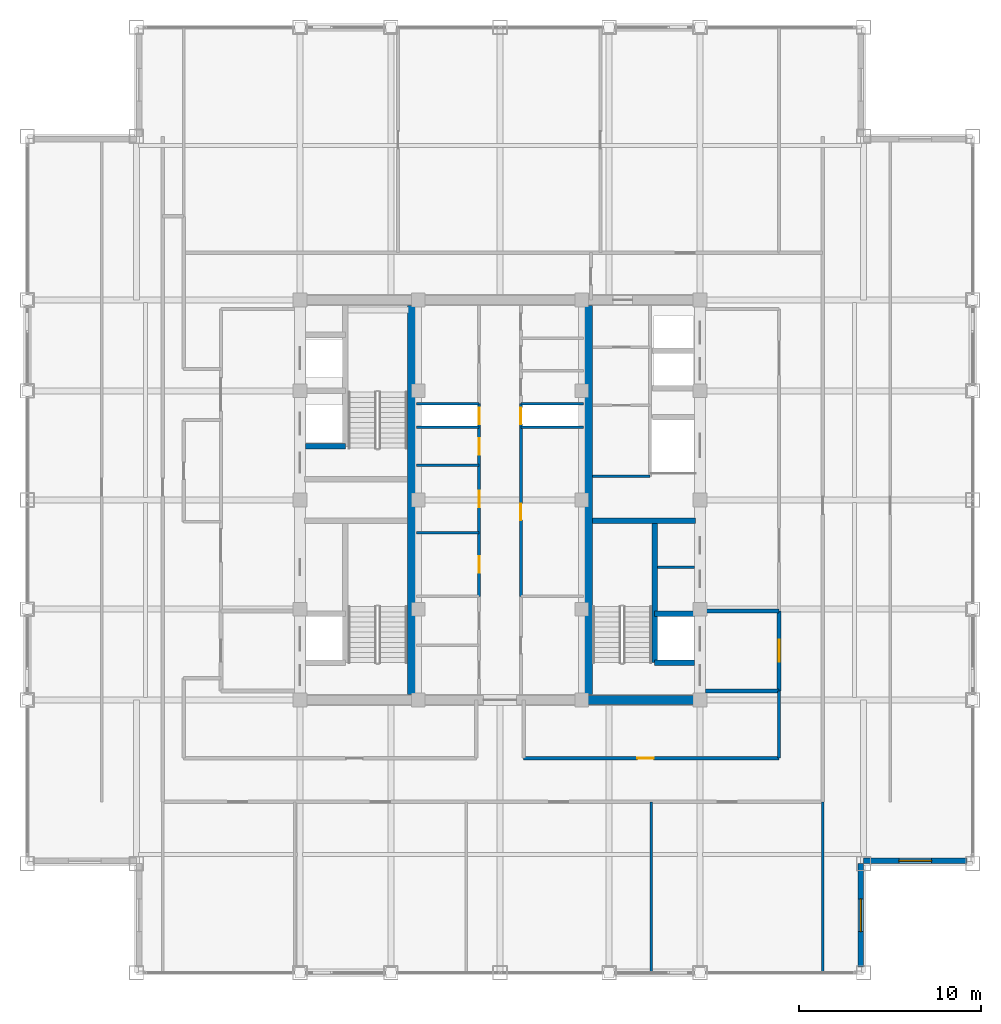
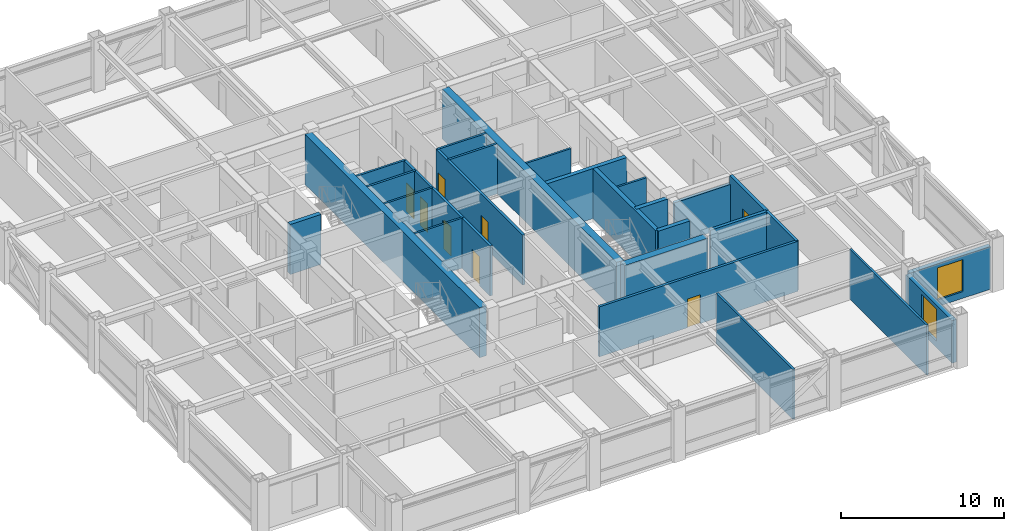
# One storey, part 25 of 28: 27 walls, 8 doors, 2 windows, 10 openings.
"""IFC4 building model written with IfcOpenShell, lengths in metres."""

from ifc_helpers import new_model, si_unit, direction, frame, frame_2d, origin, place, context, subcontext, project, spatial, rectangle, extrude, source, transform, mapped, material, layer, layer_set, type_object, element, fill, save


model = new_model("IFC4")

# Units and contexts
model_context = context("Model", 3, precision=1e-05, world=origin(), true_north=direction((0.0, 1.0)))
body_context = subcontext(model_context, "Body", "Model", "MODEL_VIEW")
ifc_project = project(units=[si_unit("LENGTHUNIT", "METRE"), si_unit("AREAUNIT", "SQUARE_METRE"), si_unit("VOLUMEUNIT", "CUBIC_METRE"), si_unit("PLANEANGLEUNIT", "RADIAN"), si_unit("MASSUNIT", "GRAM", prefix="KILO")], contexts=[model_context])

# Site, building, storey
site_placement = place(None, origin())
site = spatial("IfcSite", under=ifc_project, at=site_placement, CompositionType="ELEMENT")
building_placement = place(site_placement, origin())
building = spatial("IfcBuilding", under=site, at=building_placement, Name="Khorayat Bourse Tower", CompositionType="ELEMENT")
storey_placement = place(building_placement, frame((0.0, 0.0, 334.300048828125)))
storey = spatial("IfcBuildingStorey", under=building, at=storey_placement, Name="L79", CompositionType="ELEMENT", Elevation=334.300048828125)

# Walls
ifc_material_1 = material(Name="Concrete C52/65", Category="concrete")
ifc_layer_1 = layer(ifc_material_1, 0.5)
ifc_layer_set_1 = layer_set([ifc_layer_1], Name="Concrete C52/65")
wall_type_1 = type_object("IfcWallType", Name="WAL-CORE-500", PredefinedType="SHEAR", material=ifc_layer_set_1)
shared_shape_1 = source(origin(), body_context, "Body", "SweptSolid", [
    extrude(rectangle(XDim=21.39990234375, YDim=0.5, at=frame_2d((10.699951171875, 0.0))), origin(), (0.0, 0.0, 1.0), 3.739990234375),
])
for number, where, z_axis, x_axis, name in (
    (1, (-4.85009765625, -10.699951171875, 0.0), (0.0, 0.0, 1.0), (0.0, 1.0, 0.0), "L79 Core Shear Wall PIER-W"),
    (2, (4.85009765625, -10.699951171875, 0.0), (0.0, 0.0, 1.0), (0.0, 1.0, 0.0), "L79 Core Shear Wall PIER-E"),
):
    element("IfcWall", number, at=place(storey_placement, frame(where, z_axis=z_axis, x_axis=x_axis)), inside=storey, type_object=wall_type_1, Name=name, PredefinedType="SHEAR", context=body_context, shape_type="MappedRepresentation", body=[
        mapped(shared_shape_1, transform((0.0, 0.0, 0.0), scale=1.0)),
    ])
shared_shape_2 = source(origin(), body_context, "Body", "SweptSolid", [
    extrude(rectangle(XDim=5.89990234375, YDim=0.5, at=frame_2d((2.949951171875, 0.0))), origin(), (0.0, 0.0, 1.0), 3.739990234375),
])
wall_1_placement = place(storey_placement, frame((4.85009765625, -11.0, 0.0), z_axis=(0.0, 0.0, 1.0), x_axis=(1.0, 0.0, 0.0)))
element("IfcWall", 3, at=wall_1_placement, inside=storey, type_object=wall_type_1, Name="L79 Core Shear Wall PIER-ES", PredefinedType="SHEAR", context=body_context, shape_type="MappedRepresentation", body=[
    mapped(shared_shape_2, transform((0.0, 0.0, 0.0), scale=1.0)),
])
ifc_material_2 = material(Name="Concrete C50/60", Category="concrete")
ifc_layer_2 = layer(ifc_material_2, 0.300048828125)
ifc_layer_set_2 = layer_set([ifc_layer_2], Name="Concrete C50/60")
wall_type_2 = type_object("IfcWallType", Name="WAL-SHAFT-300", PredefinedType="SHEAR", material=ifc_layer_set_2)
shared_shape_3 = source(origin(), body_context, "Body", "SweptSolid", [
    extrude(rectangle(XDim=5.64990234375, YDim=0.300048828125, at=frame_2d((2.824951171875, 0.0))), origin(), (0.0, 0.0, 1.0), 3.739990234375),
])
wall_2_placement = place(storey_placement, frame((5.10009765625, -1.14990234375, 0.0), z_axis=(0.0, 0.0, 1.0), x_axis=(1.0, 0.0, 0.0)))
element("IfcWall", 4, at=wall_2_placement, inside=storey, type_object=wall_type_2, Name="L79 Core Shear Wall ST3-DIV", PredefinedType="SHEAR", context=body_context, shape_type="MappedRepresentation", body=[
    mapped(shared_shape_3, transform((0.0, 0.0, 0.0), scale=1.0)),
])

# Wall, opening, window
ifc_material_3 = material(Name="Precast concrete C45/55", Category="concrete")
ifc_layer_3 = layer(ifc_material_3, 0.320068359375)
ifc_layer_set_3 = layer_set([ifc_layer_3], Name="Precast concrete C45/55")
wall_type_3 = type_object("IfcWallType", Name="WAL-EXT-STONE-320", PredefinedType="STANDARD", material=ifc_layer_set_3)
shared_shape_4 = source(origin(), body_context, "Body", "SweptSolid", [
    extrude(rectangle(XDim=5.679931640625, YDim=0.320068359375, at=frame_2d((2.83984375, 0.0))), origin(), (0.0, 0.0, 1.0), 3.19091796875),
])
wall_3_placement = place(storey_placement, frame((19.840087890625, -25.679931640625, 0.0), z_axis=(0.0, 0.0, 1.0), x_axis=(0.0, 1.0, 0.0)))
wall_3 = element("IfcWall", 5, at=wall_3_placement, inside=storey, type_object=wall_type_3, Name="L79 Re-Entrant Notch Limestone Wall SE-V", PredefinedType="STANDARD", context=body_context, shape_type="MappedRepresentation", body=[
    mapped(shared_shape_4, transform((0.0, 0.0, 0.0), scale=1.0)),
])
shared_shape_5 = source(origin(), body_context, "Body", "SweptSolid", [
    extrude(rectangle(XDim=1.800048828125, YDim=2.39990234375, at=frame_2d((0.89990234375, 1.199951171875))), frame((0.0, 0.169921875, 0.0), z_axis=(0.0, -1.0, 0.0), x_axis=(1.0, 0.0, 0.0)), (0.0, 0.0, 1.0), 0.340087890625),
])
opening_1_placement = place(wall_3_placement, frame((1.93994140625, 0.0, 0.5)))
opening_1 = element("IfcOpeningElement", 6, at=opening_1_placement, cuts=wall_3, Name="Opening WN-04", PredefinedType="OPENING", context=body_context, shape_type="MappedRepresentation", body=[
    mapped(shared_shape_5, transform((0.0, 0.0, 0.0), scale=1.0)),
])
ifc_material_4 = material(Name="Low-E acoustic laminated double glazing", Category="glass")
window_type = type_object("IfcWindowType", Name="WIN-NOTCH-1800x2400", PartitioningType="SINGLE_PANEL", PredefinedType="WINDOW", material=ifc_material_4)
shared_shape_6 = source(origin(), body_context, "Body", "SweptSolid", [
    extrude(rectangle(XDim=1.800048828125, YDim=2.39990234375, at=frame_2d((0.89990234375, 1.199951171875))), frame((0.0, 0.030029296875, 0.0), z_axis=(0.0, -1.0, 0.0), x_axis=(1.0, 0.0, 0.0)), (0.0, 0.0, 1.0), 0.06005859375),
])
window_1_placement = place(opening_1_placement, origin())
window_1 = element("IfcWindow", 7, at=window_1_placement, inside=storey, type_object=window_type, Name="L79 Facade Window 1", OverallHeight=2.39990234375, OverallWidth=1.800048828125, PartitioningType="SINGLE_PANEL", PredefinedType="WINDOW", context=body_context, shape_type="MappedRepresentation", body=[
    mapped(shared_shape_6, transform((0.0, 0.0, 0.0), scale=1.0)),
])
fill(opening_1, window_1)

wall_4_placement = place(storey_placement, frame((20.0, -19.840087890625, 0.0), z_axis=(0.0, 0.0, 1.0), x_axis=(1.0, 0.0, 0.0)))
wall_4 = element("IfcWall", 8, at=wall_4_placement, inside=storey, type_object=wall_type_3, Name="L79 Re-Entrant Notch Limestone Wall SE-H", PredefinedType="STANDARD", context=body_context, shape_type="MappedRepresentation", body=[
    mapped(shared_shape_4, transform((0.0, 0.0, 0.0), scale=1.0)),
])
opening_2_placement = place(wall_4_placement, frame((1.93994140625, 0.0, 0.5)))
opening_2 = element("IfcOpeningElement", 9, at=opening_2_placement, cuts=wall_4, Name="Opening WN-04", PredefinedType="OPENING", context=body_context, shape_type="MappedRepresentation", body=[
    mapped(shared_shape_5, transform((0.0, 0.0, 0.0), scale=1.0)),
])
window_2_placement = place(opening_2_placement, origin())
window_2 = element("IfcWindow", 10, at=window_2_placement, inside=storey, type_object=window_type, Name="L79 Facade Window 1", OverallHeight=2.39990234375, OverallWidth=1.800048828125, PartitioningType="SINGLE_PANEL", PredefinedType="WINDOW", context=body_context, shape_type="MappedRepresentation", body=[
    mapped(shared_shape_6, transform((0.0, 0.0, 0.0), scale=1.0)),
])
fill(opening_2, window_2)

# Walls
shared_shape_7 = source(origin(), body_context, "Body", "SweptSolid", [
    extrude(rectangle(XDim=7.800048828125, YDim=0.300048828125, at=frame_2d((3.89990234375, 0.0))), origin(), (0.0, 0.0, 1.0), 3.739990234375),
])
wall_5_placement = place(storey_placement, frame((8.5, -8.949951171875, 0.0), z_axis=(0.0, 0.0, 1.0), x_axis=(0.0, 1.0, 0.0)))
element("IfcWall", 11, at=wall_5_placement, inside=storey, type_object=wall_type_2, Name="L79 Partition WAL-L79-EPIER-SP", PredefinedType="SHEAR", context=body_context, shape_type="MappedRepresentation", body=[
    mapped(shared_shape_7, transform((0.0, 0.0, 0.0), scale=1.0)),
])
shared_shape_8 = source(origin(), body_context, "Body", "SweptSolid", [
    extrude(rectangle(XDim=2.199951171875, YDim=0.300048828125, at=frame_2d((1.10009765625, 0.0))), origin(), (0.0, 0.0, 1.0), 3.739990234375),
])
for number, where, z_axis, x_axis, name in (
    (12, (-10.699951171875, 2.949951171875, 0.0), (0.0, 0.0, 1.0), (1.0, 0.0, 0.0), "L79 Partition WAL-L79-WPIER-H1S"),
    (13, (8.5, -8.949951171875, 0.0), (0.0, 0.0, 1.0), (1.0, 0.0, 0.0), "L79 Partition WAL-L79-EPIER-FF2S"),
    (14, (8.5, -6.25, 0.0), (0.0, 0.0, 1.0), (1.0, 0.0, 0.0), "L79 Partition WAL-L79-EPIER-FF2N"),
):
    element("IfcWall", number, at=place(storey_placement, frame(where, z_axis=z_axis, x_axis=x_axis)), inside=storey, type_object=wall_type_2, Name=name, PredefinedType="SHEAR", context=body_context, shape_type="MappedRepresentation", body=[
        mapped(shared_shape_8, transform((0.0, 0.0, 0.0), scale=1.0)),
    ])
ifc_material_5 = material(Name="Gypsum plasterboard twin-frame partition")
ifc_layer_4 = layer(ifc_material_5, 0.14990234375)
ifc_layer_set_4 = layer_set([ifc_layer_4], Name="Gypsum plasterboard twin-frame partition")
wall_type_4 = type_object("IfcWallType", Name="WAL-PART-SUITE-150", PredefinedType="PARTITIONING", material=ifc_layer_set_4)
shared_shape_9 = source(origin(), body_context, "Body", "SweptSolid", [
    extrude(rectangle(XDim=2.050048828125, YDim=0.14990234375, at=frame_2d((1.02490234375, 0.0))), origin(), (0.0, 0.0, 1.0), 3.739990234375),
])
wall_6_placement = place(storey_placement, frame((8.64990234375, -3.699951171875, 0.0), z_axis=(0.0, 0.0, 1.0), x_axis=(1.0, 0.0, 0.0)))
element("IfcWall", 15, at=wall_6_placement, inside=storey, type_object=wall_type_4, Name="L79 Partition WAL-L79-ESRV-D1", PredefinedType="PARTITIONING", context=body_context, shape_type="MappedRepresentation", body=[
    mapped(shared_shape_9, transform((0.0, 0.0, 0.0), scale=1.0)),
])
ifc_material_6 = material(Name="Moisture-resistant masonry partition", Category="masonry")
ifc_layer_5 = layer(ifc_material_6, 0.139892578125)
ifc_layer_set_5 = layer_set([ifc_layer_5], Name="Moisture-resistant masonry partition")
wall_type_5 = type_object("IfcWallType", Name="WAL-PART-WET-140", PredefinedType="PARTITIONING", material=ifc_layer_set_5)
shared_shape_10 = source(origin(), body_context, "Body", "SweptSolid", [
    extrude(rectangle(XDim=3.14990234375, YDim=0.139892578125, at=frame_2d((1.574951171875, 0.0))), origin(), (0.0, 0.0, 1.0), 3.739990234375),
])
wall_7_placement = place(storey_placement, frame((5.10009765625, 1.300048828125, 0.0), z_axis=(0.0, 0.0, 1.0), x_axis=(1.0, 0.0, 0.0)))
element("IfcWall", 16, at=wall_7_placement, inside=storey, type_object=wall_type_5, Name="L79 Partition WAL-L79-ECORE-S", PredefinedType="PARTITIONING", context=body_context, shape_type="MappedRepresentation", body=[
    mapped(shared_shape_10, transform((0.0, 0.0, 0.0), scale=1.0)),
])
ifc_material_7 = material(Name="Aerated concrete blockwork", Category="masonry")
ifc_layer_6 = layer(ifc_material_7, 0.219970703125)
ifc_layer_set_6 = layer_set([ifc_layer_6], Name="Aerated concrete blockwork")
wall_type_6 = type_object("IfcWallType", Name="WAL-PART-FF-220", PredefinedType="PARTITIONING", material=ifc_layer_set_6)
shared_shape_11 = source(origin(), body_context, "Body", "SweptSolid", [
    extrude(rectangle(XDim=4.050048828125, YDim=0.219970703125, at=frame_2d((2.02490234375, 0.0))), origin(), (0.0, 0.0, 1.0), 3.739990234375),
])
wall_8_placement = place(storey_placement, frame((11.300048828125, -10.5, 0.0), z_axis=(0.0, 0.0, 1.0), x_axis=(1.0, 0.0, 0.0)))
element("IfcWall", 17, at=wall_8_placement, inside=storey, type_object=wall_type_6, Name="L79 Partition WAL-L79-FFLE-S", PredefinedType="PARTITIONING", context=body_context, shape_type="MappedRepresentation", body=[
    mapped(shared_shape_11, transform((0.0, 0.0, 0.0), scale=1.0)),
])
shared_shape_12 = source(origin(), body_context, "Body", "SweptSolid", [
    extrude(rectangle(XDim=4.050048828125, YDim=0.219970703125, at=frame_2d((2.02490234375, 0.0))), origin(), (0.0, 0.0, 1.0), 3.1240234375),
])
wall_9_placement = place(storey_placement, frame((11.300048828125, -6.10009765625, 0.0), z_axis=(0.0, 0.0, 1.0), x_axis=(1.0, 0.0, 0.0)))
element("IfcWall", 18, at=wall_9_placement, inside=storey, type_object=wall_type_6, Name="L79 Partition WAL-L79-FFLE-N", PredefinedType="PARTITIONING", context=body_context, shape_type="MappedRepresentation", body=[
    mapped(shared_shape_12, transform((0.0, 0.0, 0.0), scale=1.0)),
])

# Wall, opening, door
shared_shape_13 = source(origin(), body_context, "Body", "SweptSolid", [
    extrude(rectangle(XDim=4.39990234375, YDim=0.219970703125, at=frame_2d((2.199951171875, 0.0))), origin(), (0.0, 0.0, 1.0), 3.739990234375),
])
wall_10_placement = place(storey_placement, frame((15.35009765625, -10.5, 0.0), z_axis=(0.0, 0.0, 1.0), x_axis=(0.0, 1.0, 0.0)))
wall_10 = element("IfcWall", 19, at=wall_10_placement, inside=storey, type_object=wall_type_6, Name="L79 Partition WAL-L79-FFLE-E", PredefinedType="PARTITIONING", context=body_context, shape_type="MappedRepresentation", body=[
    mapped(shared_shape_13, transform((0.0, 0.0, 0.0), scale=1.0)),
])
shared_shape_14 = source(origin(), body_context, "Body", "SweptSolid", [
    extrude(rectangle(XDim=1.199951171875, YDim=2.199951171875, at=frame_2d((0.60009765625, 1.10009765625))), frame((0.0, 0.119873046875, 0.0), z_axis=(0.0, -1.0, 0.0), x_axis=(1.0, 0.0, 0.0)), (0.0, 0.0, 1.0), 0.239990234375),
])
opening_3_placement = place(wall_10_placement, frame((1.60009765625, 0.0, 0.0)))
opening_3 = element("IfcOpeningElement", 20, at=opening_3_placement, cuts=wall_10, Name="Opening DI-02", PredefinedType="OPENING", context=body_context, shape_type="MappedRepresentation", body=[
    mapped(shared_shape_14, transform((0.0, 0.0, 0.0), scale=1.0)),
])
ifc_material_8 = material(Name="Fire-rated steel double-seal leaf", Category="steel")
door_type_1 = type_object("IfcDoorType", Name="DR-INT-FFLOBBY-1200", OperationType="NOTDEFINED", PredefinedType="DOOR", material=ifc_material_8)
shared_shape_15 = source(origin(), body_context, "Body", "SweptSolid", [
    extrude(rectangle(XDim=1.199951171875, YDim=2.199951171875, at=frame_2d((0.60009765625, 1.10009765625))), frame((0.0, 0.02490234375, 0.0), z_axis=(0.0, -1.0, 0.0), x_axis=(1.0, 0.0, 0.0)), (0.0, 0.0, 1.0), 0.050048828125),
])
door_1_placement = place(opening_3_placement, origin())
door_1 = element("IfcDoor", 21, at=door_1_placement, inside=storey, type_object=door_type_1, Name="L79 East Firefighting Lobby Door", OperationType="SINGLE_SWING_RIGHT", OverallHeight=2.199951171875, OverallWidth=1.199951171875, PredefinedType="DOOR", context=body_context, shape_type="MappedRepresentation", body=[
    mapped(shared_shape_15, transform((0.0, 0.0, 0.0), scale=1.0)),
])
fill(opening_3, door_1)

# Walls
shared_shape_16 = source(origin(), body_context, "Body", "SweptSolid", [
    extrude(rectangle(XDim=3.4501953125, YDim=0.14990234375, at=frame_2d((1.72509765625, 0.0))), origin(), (0.0, 0.0, 1.0), 3.739990234375),
])
for number, where, z_axis, x_axis, name in (
    (22, (-4.60009765625, 4.0, 0.0), (0.0, 0.0, 1.0), (1.0, 0.0, 0.0), "L79 Partition WAL-L79-CRSW-S"),
    (23, (1.14990234375, 4.0, 0.0), (0.0, 0.0, 1.0), (1.0, 0.0, 0.0), "L79 Partition WAL-L79-CRSE-S"),
    (24, (-4.60009765625, 5.300048828125, 0.0), (0.0, 0.0, 1.0), (1.0, 0.0, 0.0), "L79 Partition WAL-L79-FB2-SW"),
    (25, (1.14990234375, 5.300048828125, 0.0), (0.0, 0.0, 1.0), (1.0, 0.0, 0.0), "L79 Partition WAL-L79-FB2-SE"),
):
    element("IfcWall", number, at=place(storey_placement, frame(where, z_axis=z_axis, x_axis=x_axis)), inside=storey, type_object=wall_type_4, Name=name, PredefinedType="PARTITIONING", context=body_context, shape_type="MappedRepresentation", body=[
        mapped(shared_shape_16, transform((0.0, 0.0, 0.0), scale=1.0)),
    ])
shared_shape_17 = source(origin(), body_context, "Body", "SweptSolid", [
    extrude(rectangle(XDim=3.4501953125, YDim=0.139892578125, at=frame_2d((1.72509765625, 0.0))), origin(), (0.0, 0.0, 1.0), 3.739990234375),
])
for number, where, z_axis, x_axis, name in (
    (26, (-4.60009765625, -1.800048828125, 0.0), (0.0, 0.0, 1.0), (1.0, 0.0, 0.0), "L79 Partition WAL-L79-CMW-D1"),
    (27, (-4.60009765625, 1.89990234375, 0.0), (0.0, 0.0, 1.0), (1.0, 0.0, 0.0), "L79 Partition WAL-L79-CMW-D2"),
):
    element("IfcWall", number, at=place(storey_placement, frame(where, z_axis=z_axis, x_axis=x_axis)), inside=storey, type_object=wall_type_5, Name=name, PredefinedType="PARTITIONING", context=body_context, shape_type="MappedRepresentation", body=[
        mapped(shared_shape_17, transform((0.0, 0.0, 0.0), scale=1.0)),
    ])

# Wall, openings, doors
ifc_material_9 = material(Name="Gypsum plasterboard acoustic stud wall")
ifc_layer_7 = layer(ifc_material_9, 0.179931640625)
ifc_layer_set_7 = layer_set([ifc_layer_7], Name="Gypsum plasterboard acoustic stud wall")
wall_type_7 = type_object("IfcWallType", Name="WAL-PART-CORR-180", PredefinedType="PARTITIONING", material=ifc_layer_set_7)
shared_shape_18 = source(origin(), body_context, "Body", "SweptSolid", [
    extrude(rectangle(XDim=10.60009765625, YDim=0.179931640625, at=frame_2d((5.300048828125, 0.0))), origin(), (0.0, 0.0, 1.0), 3.739990234375),
])
wall_11_placement = place(storey_placement, frame((-1.14990234375, -5.300048828125, 0.0), z_axis=(0.0, 0.0, 1.0), x_axis=(0.0, 1.0, 0.0)))
wall_11 = element("IfcWall", 28, at=wall_11_placement, inside=storey, type_object=wall_type_7, Name="L79 Partition WAL-L79-CMW-L", PredefinedType="PARTITIONING", context=body_context, shape_type="MappedRepresentation", body=[
    mapped(shared_shape_18, transform((0.0, 0.0, 0.0), scale=1.0)),
])
shared_shape_19 = source(origin(), body_context, "Body", "SweptSolid", [
    extrude(rectangle(XDim=0.89990234375, YDim=2.14990234375, at=frame_2d((0.449951171875, 1.074951171875))), frame((0.0, 0.099853515625, 0.0), z_axis=(0.0, -1.0, 0.0), x_axis=(1.0, 0.0, 0.0)), (0.0, 0.0, 1.0), 0.199951171875),
])
opening_4_placement = place(wall_11_placement, frame((1.300048828125, 0.0, 0.0)))
opening_4 = element("IfcOpeningElement", 29, at=opening_4_placement, cuts=wall_11, Name="Opening DI-06", PredefinedType="OPENING", context=body_context, shape_type="MappedRepresentation", body=[
    mapped(shared_shape_19, transform((0.0, 0.0, 0.0), scale=1.0)),
])
opening_5_placement = place(wall_11_placement, frame((4.89990234375, 0.0, 0.0)))
opening_5 = element("IfcOpeningElement", 30, at=opening_5_placement, cuts=wall_11, Name="Opening DI-06", PredefinedType="OPENING", context=body_context, shape_type="MappedRepresentation", body=[
    mapped(shared_shape_19, transform((0.0, 0.0, 0.0), scale=1.0)),
])
opening_6_placement = place(wall_11_placement, frame((7.800048828125, 0.0, 0.0)))
opening_6 = element("IfcOpeningElement", 31, at=opening_6_placement, cuts=wall_11, Name="Opening DI-06", PredefinedType="OPENING", context=body_context, shape_type="MappedRepresentation", body=[
    mapped(shared_shape_19, transform((0.0, 0.0, 0.0), scale=1.0)),
])
opening_7_placement = place(wall_11_placement, frame((9.47509765625, 0.0, 0.0)))
opening_7 = element("IfcOpeningElement", 32, at=opening_7_placement, cuts=wall_11, Name="Opening DI-06", PredefinedType="OPENING", context=body_context, shape_type="MappedRepresentation", body=[
    mapped(shared_shape_19, transform((0.0, 0.0, 0.0), scale=1.0)),
])
ifc_material_10 = material(Name="Moisture-resistant laminate washroom door")
door_type_2 = type_object("IfcDoorType", Name="DR-INT-WC-900", OperationType="NOTDEFINED", PredefinedType="DOOR", material=ifc_material_10)
shared_shape_20 = source(origin(), body_context, "Body", "SweptSolid", [
    extrude(rectangle(XDim=0.89990234375, YDim=2.14990234375, at=frame_2d((0.449951171875, 1.074951171875))), frame((0.0, 0.02490234375, 0.0), z_axis=(0.0, -1.0, 0.0), x_axis=(1.0, 0.0, 0.0)), (0.0, 0.0, 1.0), 0.050048828125),
])
door_2_placement = place(opening_4_placement, origin())
door_2 = element("IfcDoor", 33, at=door_2_placement, inside=storey, type_object=door_type_2, Name="L79 Male Core Washroom Door", OperationType="SINGLE_SWING_RIGHT", OverallHeight=2.14990234375, OverallWidth=0.89990234375, PredefinedType="DOOR", context=body_context, shape_type="MappedRepresentation", body=[
    mapped(shared_shape_20, transform((0.0, 0.0, 0.0), scale=1.0)),
])
fill(opening_4, door_2)
door_3_placement = place(opening_5_placement, origin())
door_3 = element("IfcDoor", 34, at=door_3_placement, inside=storey, type_object=door_type_2, Name="L79 AHU Fan Plant Room Door", OperationType="SINGLE_SWING_LEFT", OverallHeight=2.14990234375, OverallWidth=0.89990234375, PredefinedType="DOOR", context=body_context, shape_type="MappedRepresentation", body=[
    mapped(shared_shape_20, transform((0.0, 0.0, 0.0), scale=1.0)),
])
fill(opening_5, door_3)
door_4_placement = place(opening_6_placement, origin())
door_4 = element("IfcDoor", 35, at=door_4_placement, inside=storey, type_object=door_type_2, Name="L79 Janitor Store Door", OperationType="SINGLE_SWING_RIGHT", OverallHeight=2.14990234375, OverallWidth=0.89990234375, PredefinedType="DOOR", context=body_context, shape_type="MappedRepresentation", body=[
    mapped(shared_shape_20, transform((0.0, 0.0, 0.0), scale=1.0)),
])
fill(opening_6, door_4)
door_5_placement = place(opening_7_placement, origin())
door_5 = element("IfcDoor", 36, at=door_5_placement, inside=storey, type_object=door_type_2, Name="L79 West Core Riser Door", OperationType="SINGLE_SWING_LEFT", OverallHeight=2.14990234375, OverallWidth=0.89990234375, PredefinedType="DOOR", context=body_context, shape_type="MappedRepresentation", body=[
    mapped(shared_shape_20, transform((0.0, 0.0, 0.0), scale=1.0)),
])
fill(opening_7, door_5)

wall_12_placement = place(storey_placement, frame((1.14990234375, -5.300048828125, 0.0), z_axis=(0.0, 0.0, 1.0), x_axis=(0.0, 1.0, 0.0)))
wall_12 = element("IfcWall", 37, at=wall_12_placement, inside=storey, type_object=wall_type_7, Name="L79 Partition WAL-L79-CME-L", PredefinedType="PARTITIONING", context=body_context, shape_type="MappedRepresentation", body=[
    mapped(shared_shape_18, transform((0.0, 0.0, 0.0), scale=1.0)),
])
opening_8_placement = place(wall_12_placement, frame((4.199951171875, 0.0, 0.0)))
opening_8 = element("IfcOpeningElement", 38, at=opening_8_placement, cuts=wall_12, Name="Opening DI-06", PredefinedType="OPENING", context=body_context, shape_type="MappedRepresentation", body=[
    mapped(shared_shape_19, transform((0.0, 0.0, 0.0), scale=1.0)),
])
opening_9_placement = place(wall_12_placement, frame((9.47509765625, 0.0, 0.0)))
opening_9 = element("IfcOpeningElement", 39, at=opening_9_placement, cuts=wall_12, Name="Opening DI-06", PredefinedType="OPENING", context=body_context, shape_type="MappedRepresentation", body=[
    mapped(shared_shape_19, transform((0.0, 0.0, 0.0), scale=1.0)),
])
door_6_placement = place(opening_8_placement, origin())
door_6 = element("IfcDoor", 40, at=door_6_placement, inside=storey, type_object=door_type_2, Name="L79 Female Core Washroom Door", OperationType="SINGLE_SWING_RIGHT", OverallHeight=2.14990234375, OverallWidth=0.89990234375, PredefinedType="DOOR", context=body_context, shape_type="MappedRepresentation", body=[
    mapped(shared_shape_20, transform((0.0, 0.0, 0.0), scale=1.0)),
])
fill(opening_8, door_6)
door_7_placement = place(opening_9_placement, origin())
door_7 = element("IfcDoor", 41, at=door_7_placement, inside=storey, type_object=door_type_2, Name="L79 East Core Riser Door", OperationType="SINGLE_SWING_RIGHT", OverallHeight=2.14990234375, OverallWidth=0.89990234375, PredefinedType="DOOR", context=body_context, shape_type="MappedRepresentation", body=[
    mapped(shared_shape_20, transform((0.0, 0.0, 0.0), scale=1.0)),
])
fill(opening_9, door_7)

# Wall, opening, door
shared_shape_21 = source(origin(), body_context, "Body", "SweptSolid", [
    extrude(rectangle(XDim=14.050048828125, YDim=0.179931640625, at=frame_2d((7.02490234375, 0.0))), origin(), (0.0, 0.0, 1.0), 3.739990234375),
])
wall_13_placement = place(storey_placement, frame((1.300048828125, -14.199951171875, 0.0), z_axis=(0.0, 0.0, 1.0), x_axis=(1.0, 0.0, 0.0)))
wall_13 = element("IfcWall", 42, at=wall_13_placement, inside=storey, type_object=wall_type_7, Name="L79 Partition WAL-L79-PKSE-S", PredefinedType="PARTITIONING", context=body_context, shape_type="MappedRepresentation", body=[
    mapped(shared_shape_21, transform((0.0, 0.0, 0.0), scale=1.0)),
])
opening_10_placement = place(wall_13_placement, frame((6.25, 0.0, 0.0)))
opening_10 = element("IfcOpeningElement", 43, at=opening_10_placement, cuts=wall_13, Name="Opening DI-06", PredefinedType="OPENING", context=body_context, shape_type="MappedRepresentation", body=[
    mapped(shared_shape_19, transform((0.0, 0.0, 0.0), scale=1.0)),
])
door_8_placement = place(opening_10_placement, origin())
door_8 = element("IfcDoor", 44, at=door_8_placement, inside=storey, type_object=door_type_2, Name="L79 SE Inboard Study Door", OperationType="SINGLE_SWING_RIGHT", OverallHeight=2.14990234375, OverallWidth=0.89990234375, PredefinedType="DOOR", context=body_context, shape_type="MappedRepresentation", body=[
    mapped(shared_shape_20, transform((0.0, 0.0, 0.0), scale=1.0)),
])
fill(opening_10, door_8)

# Walls
shared_shape_22 = source(origin(), body_context, "Body", "SweptSolid", [
    extrude(rectangle(XDim=3.699951171875, YDim=0.179931640625, at=frame_2d((1.85009765625, 0.0))), origin(), (0.0, 0.0, 1.0), 3.739990234375),
])
wall_14_placement = place(storey_placement, frame((15.35009765625, -14.199951171875, 0.0), z_axis=(0.0, 0.0, 1.0), x_axis=(0.0, 1.0, 0.0)))
element("IfcWall", 45, at=wall_14_placement, inside=storey, type_object=wall_type_7, Name="L79 Partition WAL-L79-PKSE-E", PredefinedType="PARTITIONING", context=body_context, shape_type="MappedRepresentation", body=[
    mapped(shared_shape_22, transform((0.0, 0.0, 0.0), scale=1.0)),
])
shared_shape_23 = source(origin(), body_context, "Body", "SweptSolid", [
    extrude(rectangle(XDim=9.39990234375, YDim=0.14990234375, at=frame_2d((4.699951171875, 0.0))), origin(), (0.0, 0.0, 1.0), 3.739990234375),
])
for number, where, z_axis, x_axis, name in (
    (46, (8.31201171875, -26.0, 0.0), (0.0, 0.0, 1.0), (0.0, 1.0, 0.0), "L79 Partition WAL-L79-SDV-3"),
    (47, (17.75, -26.0, 0.0), (0.0, 0.0, 1.0), (0.0, 1.0, 0.0), "L79 Partition WAL-L79-SCE-END"),
):
    element("IfcWall", number, at=place(storey_placement, frame(where, z_axis=z_axis, x_axis=x_axis)), inside=storey, type_object=wall_type_4, Name=name, PredefinedType="PARTITIONING", context=body_context, shape_type="MappedRepresentation", body=[
        mapped(shared_shape_23, transform((0.0, 0.0, 0.0), scale=1.0)),
    ])

save(model, "model.ifc")
